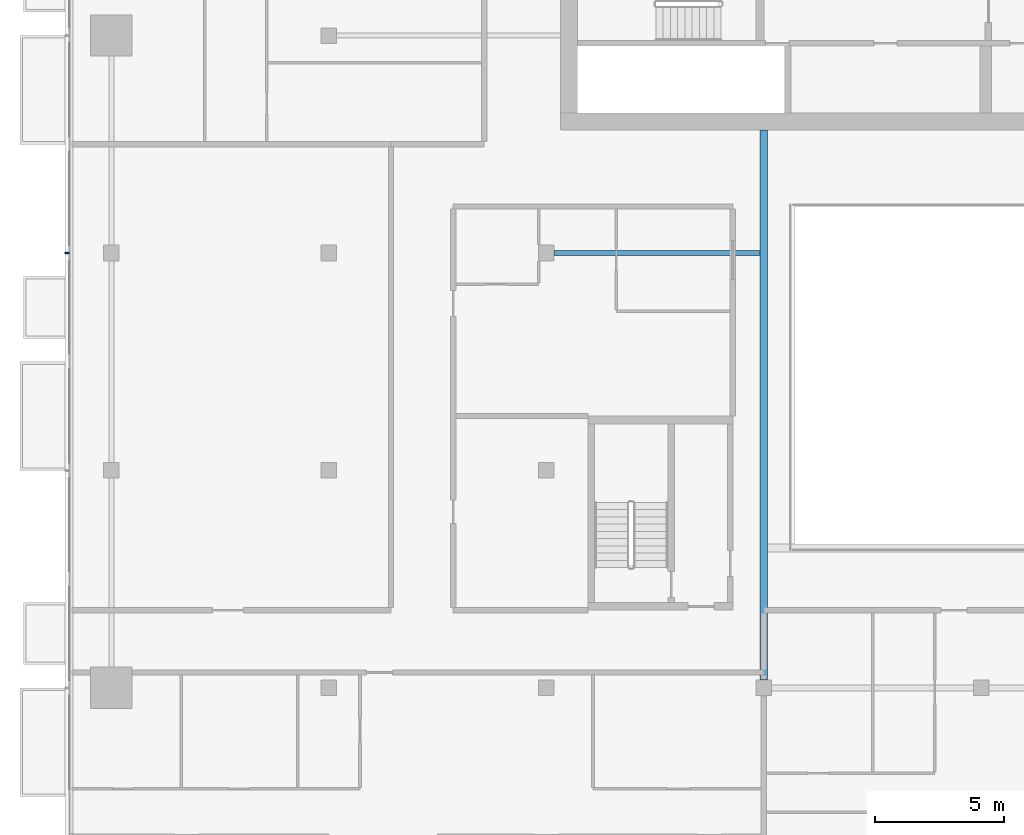
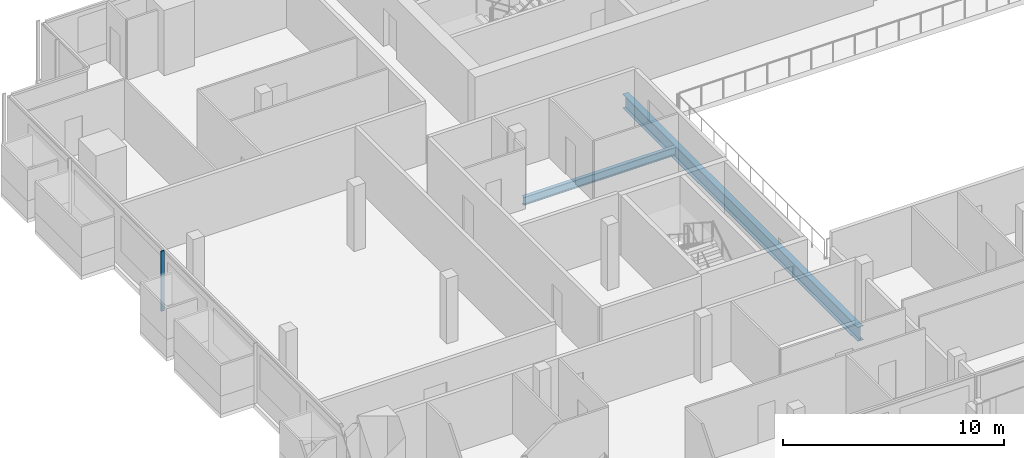
# One storey, part 4 of 27: 2 beams, 1 member, 1 element without a shape of its own.
"""IFC4 building model written with IfcOpenShell, lengths in metres."""

from ifc_helpers import new_model, si_unit, direction, frame, origin, origin_2d, place, context, subcontext, project, spatial, rectangle, i_section, extrude, material, material_profile, profile_set, type_object, element, aggregate, save


model = new_model("IFC4")

# Units and contexts
model_context = context("Model", 3, precision=1e-05, world=origin(), true_north=direction((0.0, 1.0)))
body_context = subcontext(model_context, "Body", "Model", "MODEL_VIEW")
ifc_project = project(units=[si_unit("LENGTHUNIT", "METRE"), si_unit("AREAUNIT", "SQUARE_METRE"), si_unit("VOLUMEUNIT", "CUBIC_METRE"), si_unit("PLANEANGLEUNIT", "RADIAN"), si_unit("MASSUNIT", "GRAM", prefix="KILO")], contexts=[model_context])

# Site, building, storey
site_placement = place(None, origin())
site = spatial("IfcSite", under=ifc_project, at=site_placement, CompositionType="ELEMENT")
building_placement = place(site_placement, origin())
building = spatial("IfcBuilding", under=site, at=building_placement, Name="Saffron Gate Tower", CompositionType="ELEMENT")
storey_placement = place(building_placement, frame((0.0, 0.0, 209.10009765625)))
storey = spatial("IfcBuildingStorey", under=building, at=storey_placement, Name="L50", CompositionType="ELEMENT", Elevation=209.10009765625)

# Beams
ifc_material_1 = material(Name="Structural steel S355", Category="steel")
ifc_material_profile_1 = material_profile(ifc_material_1, i_section(OverallWidth=0.300048828125, OverallDepth=0.7900390625, WebThickness=0.014892578125, FlangeThickness=0.028076171875, FilletRadius=0.030029296875, at=origin_2d()))
ifc_profile_set_1 = profile_set([ifc_material_profile_1], Name="Structural steel S355")
beam_type_1 = type_object("IfcBeamType", Name="B18 HEA 800", PredefinedType="BEAM", material=ifc_profile_set_1)
beam_1_placement = place(storey_placement, frame((75.0, 40.5, -0.675048828125), z_axis=(0.0, 1.0, 0.0), x_axis=(-1.0, 0.0, 0.0)))
element("IfcBeam", 1, at=beam_1_placement, inside=storey, type_object=beam_type_1, Name="B18 ATRIUM GIRDER", PredefinedType="BEAM", context=body_context, shape_type="SweptSolid", body=[
    extrude(i_section(OverallWidth=0.300048828125, OverallDepth=0.7900390625, WebThickness=0.014892578125, FlangeThickness=0.028076171875, FilletRadius=0.030029296875, at=origin_2d()), origin(), (0.0, 0.0, 1.0), 21.25),
])
ifc_material_profile_2 = material_profile(ifc_material_1, i_section(OverallWidth=0.18994140625, OverallDepth=0.449951171875, WebThickness=0.009521484375, FlangeThickness=0.0146484375, FilletRadius=0.02099609375, at=origin_2d()))
ifc_profile_set_2 = profile_set([ifc_material_profile_2], Name="Structural steel S355")
beam_type_2 = type_object("IfcBeamType", Name="B6 IPE 450", PredefinedType="BEAM", material=ifc_profile_set_2)
beam_2_placement = place(storey_placement, frame((66.89990234375, 57.0, -0.505126953125), z_axis=(1.0, 0.0, 0.0), x_axis=(0.0, 1.0, 0.0)))
element("IfcBeam", 2, at=beam_2_placement, inside=storey, type_object=beam_type_2, Name="B6 CORE TIE BEAM", PredefinedType="BEAM", context=body_context, shape_type="SweptSolid", body=[
    extrude(i_section(OverallWidth=0.18994140625, OverallDepth=0.449951171875, WebThickness=0.009521484375, FlangeThickness=0.0146484375, FilletRadius=0.02099609375, at=origin_2d()), origin(), (0.0, 0.0, 1.0), 7.9501953125),
])

# Curtain wall, member
ifc_material_2 = material(Name="Aluminium, bronze anodised", Category="aluminium")
curtain_wall_type = type_object("IfcCurtainWallType", Name="CWS2 curtain wall side facades", PredefinedType="NOTDEFINED", material=ifc_material_2)
curtain_wall_placement = place(storey_placement, origin())
curtain_wall = element("IfcCurtainWall", 3, at=curtain_wall_placement, inside=storey, type_object=curtain_wall_type, Name="CWS2 run 10", PredefinedType="NOTDEFINED")
ifc_material_profile_3 = material_profile(ifc_material_2, rectangle(XDim=0.159912109375, YDim=0.06005859375, at=origin_2d()))
ifc_profile_set_3 = profile_set([ifc_material_profile_3], Name="Aluminium, bronze anodised")
member_type = type_object("IfcMemberType", Name="CWS2 mullion 60x160", PredefinedType="MULLION", material=ifc_profile_set_3)
member_placement = place(storey_placement, frame((48.080078125, 57.0, 0.0), z_axis=(0.0, 0.0, 1.0), x_axis=(1.0, 0.0, 0.0)))
member = element("IfcMember", 4, at=member_placement, type_object=member_type, Name="CWS2 mullion 3", PredefinedType="MULLION", context=body_context, shape_type="SweptSolid", body=[
    extrude(rectangle(XDim=0.159912109375, YDim=0.06005859375, at=origin_2d()), origin(), (0.0, 0.0, 1.0), 3.31982421875),
])
aggregate(curtain_wall, [member])

save(model, "model.ifc")
